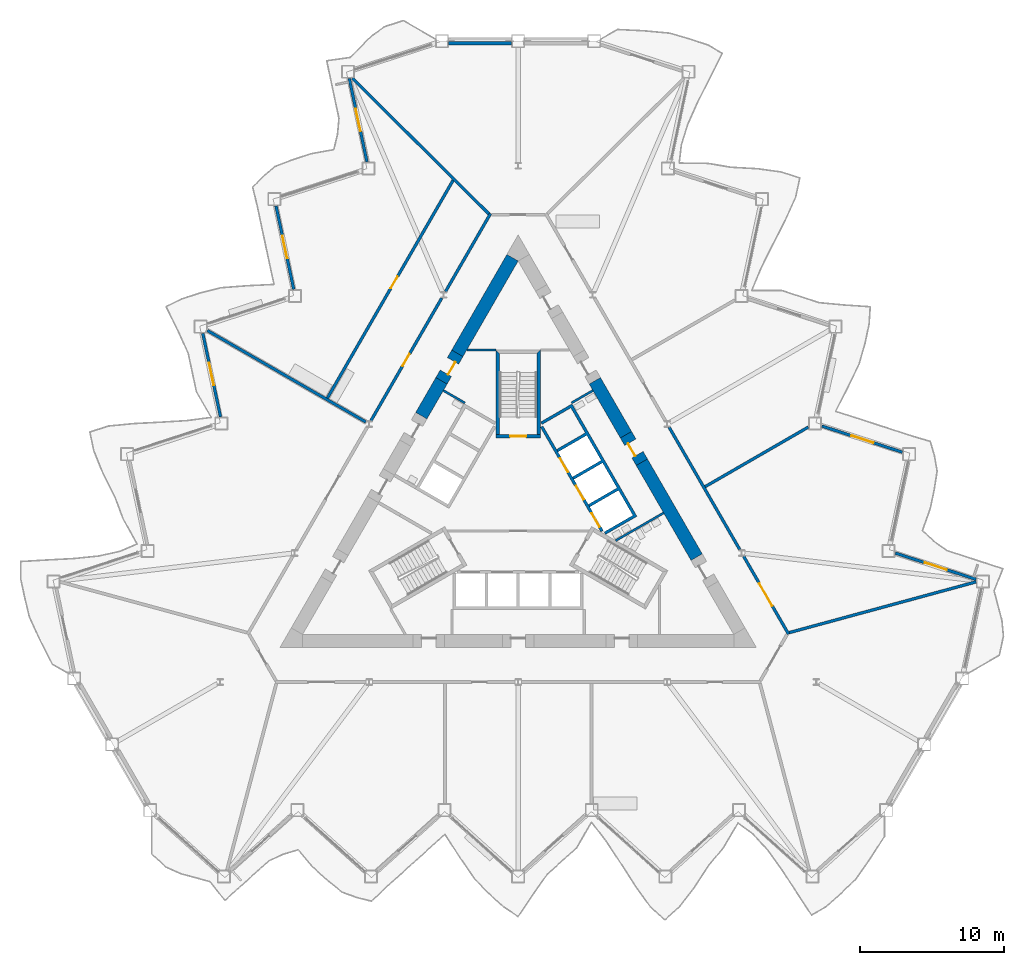
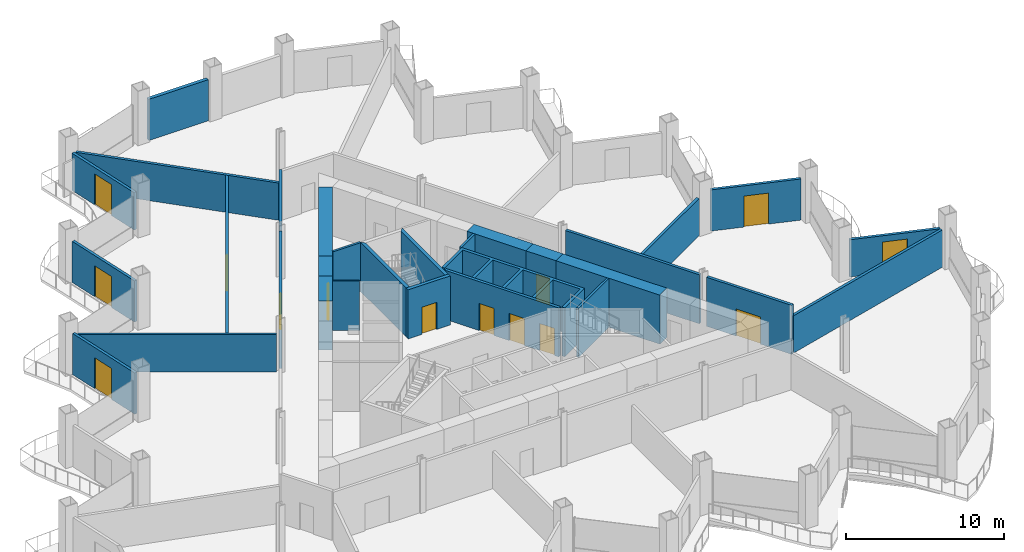
# One storey, part 12 of 21: 30 walls, 14 doors, 14 openings.
"""IFC4 building model written with IfcOpenShell, lengths in metres."""

from ifc_helpers import new_model, si_unit, direction, frame, frame_2d, origin, place, context, subcontext, project, spatial, polyline, rectangle, outline, extrude, material, layer, layer_set, type_object, element, fill, save


model = new_model("IFC4")

# Units and contexts
model_context = context("Model", 3, precision=1e-05, world=origin(), true_north=direction((0.0, 1.0)))
body_context = subcontext(model_context, "Body", "Model", "MODEL_VIEW")
ifc_project = project(units=[si_unit("LENGTHUNIT", "METRE"), si_unit("AREAUNIT", "SQUARE_METRE"), si_unit("VOLUMEUNIT", "CUBIC_METRE"), si_unit("PLANEANGLEUNIT", "RADIAN"), si_unit("MASSUNIT", "GRAM", prefix="KILO")], contexts=[model_context])

# Site, building, storey
site_placement = place(None, origin())
site = spatial("IfcSite", under=ifc_project, at=site_placement, CompositionType="ELEMENT")
building_placement = place(site_placement, origin())
building = spatial("IfcBuilding", under=site, at=building_placement, Name="Cormorant Prow Tower", CompositionType="ELEMENT")
storey_placement = place(building_placement, frame((0.0, 0.0, 150.0)))
storey = spatial("IfcBuildingStorey", under=building, at=storey_placement, Name="L32", CompositionType="ELEMENT", Elevation=150.0)

# Walls
ifc_material_1 = material(Name="Gypsum board partition")
ifc_layer_1 = layer(ifc_material_1, 0.14990234375)
ifc_layer_set_1 = layer_set([ifc_layer_1], Name="Gypsum board partition")
wall_type_1 = type_object("IfcWallType", Name="Core partition 150", PredefinedType="PARTITIONING", material=ifc_layer_set_1)
for number, where, z_axis, x_axis, name in (
    (1, (3.693359375, 7.4150390625, 0.0), (0.0, 0.0, 1.0), (0.866024871741, 0.500000921525, 0.0), "Service room partition"),
    (2, (-3.693359375, 7.4150390625, 0.0), (0.0, 0.0, 1.0), (-0.866024871741, 0.500000921525, 0.0), "Service room partition"),
):
    element("IfcWall", number, at=place(storey_placement, frame(where, z_axis=z_axis, x_axis=x_axis)), inside=storey, type_object=wall_type_1, Name=name, PredefinedType="PARTITIONING", context=body_context, shape_type="SweptSolid", body=[
        extrude(rectangle(XDim=1.72021484375, YDim=0.14990234375, at=frame_2d((0.860107421875, 0.0))), origin(), (0.0, 0.0, 1.0), 3.800048828125),
    ])
wall_1_placement = place(storey_placement, frame((10.080810546875, -0.2080078125, 0.0), z_axis=(0.0, 0.0, 1.0), x_axis=(-0.86600766878, -0.50003071667, 0.0)))
element("IfcWall", 3, at=wall_1_placement, inside=storey, type_object=wall_type_1, Name="Service room partition", PredefinedType="PARTITIONING", context=body_context, shape_type="SweptSolid", body=[
    extrude(rectangle(XDim=3.839111328125, YDim=0.14990234375, at=frame_2d((1.91943359375, 0.0))), origin(), (0.0, 0.0, 1.0), 3.800048828125),
])
wall_2_placement = place(storey_placement, frame((-1.5439453125, 11.0869140625, 0.0), z_axis=(0.0, 0.0, 1.0), x_axis=(-1.0, 0.0, 0.0)))
element("IfcWall", 4, at=wall_2_placement, inside=storey, type_object=wall_type_1, Name="Service room partition", PredefinedType="PARTITIONING", context=body_context, shape_type="SweptSolid", body=[
    extrude(rectangle(XDim=2.015869140625, YDim=0.14990234375, at=frame_2d((1.0078125, 0.0))), origin(), (0.0, 0.0, 1.0), 3.800048828125),
])
ifc_material_2 = material(Name="Concrete 8000 psi", Category="concrete")
ifc_layer_2 = layer(ifc_material_2, 0.89990234375)
ifc_layer_set_2 = layer_set([ifc_layer_2], Name="Concrete 8000 psi")
wall_type_2 = type_object("IfcWallType", Name="Core shear wall 900", PredefinedType="SHEAR", material=ifc_layer_set_2)
wall_3_placement = place(storey_placement, frame((12.369384765625, -3.27197265625, 0.0), z_axis=(0.0, 0.0, 1.0), x_axis=(-0.499986781806, 0.866033035178, 0.0)))
element("IfcWall", 5, at=wall_3_placement, inside=storey, type_object=wall_type_2, Name="Core wall", PredefinedType="SHEAR", context=body_context, shape_type="SweptSolid", body=[
    extrude(rectangle(XDim=7.595458984375, YDim=0.89990234375, at=frame_2d((3.7978515625, 0.0))), origin(), (0.0, 0.0, 1.0), 3.800048828125),
])
wall_4_placement = place(storey_placement, frame((7.4716796875, 5.211181640625, 0.0), z_axis=(0.0, 0.0, 1.0), x_axis=(-0.499996693808, 0.866027312607, 0.0)))
element("IfcWall", 6, at=wall_4_placement, inside=storey, type_object=wall_type_2, Name="Core wall", PredefinedType="SHEAR", context=body_context, shape_type="SweptSolid", body=[
    extrude(rectangle(XDim=4.3154296875, YDim=0.89990234375, at=frame_2d((2.15771484375, 0.0))), origin(), (0.0, 0.0, 1.0), 3.800048828125),
])
wall_5_placement = place(storey_placement, frame((-0.3896484375, 17.4775390625, 0.0), z_axis=(0.0, 0.0, 1.0), x_axis=(-0.500007959642, -0.866020808234, 0.0)))
element("IfcWall", 7, at=wall_5_placement, inside=storey, type_object=wall_type_2, Name="Core wall", PredefinedType="SHEAR", context=body_context, shape_type="SweptSolid", body=[
    extrude(rectangle(XDim=7.64892578125, YDim=0.89990234375, at=frame_2d((3.824462890625, 0.0))), origin(), (0.0, 0.0, 1.0), 3.800048828125),
])
wall_6_placement = place(storey_placement, frame((-5.31396484375, 8.948486328125, 0.0), z_axis=(0.0, 0.0, 1.0), x_axis=(-0.49998480324, -0.86603417746, 0.0)))
element("IfcWall", 8, at=wall_6_placement, inside=storey, type_object=wall_type_2, Name="Core wall", PredefinedType="SHEAR", context=body_context, shape_type="SweptSolid", body=[
    extrude(rectangle(XDim=2.79248046875, YDim=0.89990234375, at=frame_2d((1.396240234375, 0.0))), origin(), (0.0, 0.0, 1.0), 3.800048828125),
])

# Wall, opening, door
wall_7_placement = place(storey_placement, frame((8.57177734375, 3.305908203125, 0.0), z_axis=(0.0, 0.0, 1.0), x_axis=(-0.50002983664, 0.866008176907, 0.0)))
wall_7 = element("IfcWall", 9, at=wall_7_placement, inside=storey, type_object=wall_type_2, Name="Core wall door panel", PredefinedType="SHEAR", context=body_context, shape_type="SweptSolid", body=[
    extrude(rectangle(XDim=2.199951171875, YDim=0.89990234375, at=frame_2d((1.10009765625, 0.0))), origin(), (0.0, 0.0, 1.0), 3.800048828125),
])
opening_1_placement = place(wall_7_placement, frame((0.60009765625, 0.0, 0.0)))
opening_1 = element("IfcOpeningElement", 10, at=opening_1_placement, cuts=wall_7, Name="Opening L32-C16", PredefinedType="OPENING", context=body_context, shape_type="SweptSolid", body=[
    extrude(rectangle(XDim=1.0, YDim=2.10009765625, at=frame_2d((0.5, 1.050048828125))), frame((0.0, 0.4599609375, 0.0), z_axis=(0.0, -1.0, 0.0), x_axis=(1.0, 0.0, 0.0)), (0.0, 0.0, 1.0), 0.919921875),
])
ifc_material_3 = material(Name="Painted steel", Category="steel")
door_type_1 = type_object("IfcDoorType", Name="Service door 1000x2100", OperationType="NOTDEFINED", PredefinedType="DOOR", material=ifc_material_3)
door_1_placement = place(opening_1_placement, origin())
door_1 = element("IfcDoor", 11, at=door_1_placement, inside=storey, type_object=door_type_1, Name="Core door, Toilets (men) L32", OperationType="SINGLE_SWING_LEFT", OverallHeight=2.10009765625, OverallWidth=1.0, PredefinedType="DOOR", context=body_context, shape_type="SweptSolid", body=[
    extrude(rectangle(XDim=1.0, YDim=2.10009765625, at=frame_2d((0.5, 1.050048828125))), frame((0.0, 0.205078125, 0.0), z_axis=(0.0, -1.0, 0.0), x_axis=(1.0, 0.0, 0.0)), (0.0, 0.0, 1.0), 0.050048828125),
])
fill(opening_1, door_1)

wall_8_placement = place(storey_placement, frame((-4.214111328125, 10.853515625, 0.0), z_axis=(0.0, 0.0, 1.0), x_axis=(-0.500077893725, -0.86598042715, 0.0)))
wall_8 = element("IfcWall", 12, at=wall_8_placement, inside=storey, type_object=wall_type_2, Name="Core wall door panel", PredefinedType="SHEAR", context=body_context, shape_type="SweptSolid", body=[
    extrude(rectangle(XDim=2.199951171875, YDim=0.89990234375, at=frame_2d((1.10009765625, 0.0))), origin(), (0.0, 0.0, 1.0), 3.800048828125),
])
opening_2_placement = place(wall_8_placement, frame((0.60009765625, 0.0, 0.0)))
opening_2 = element("IfcOpeningElement", 13, at=opening_2_placement, cuts=wall_8, Name="Opening L32-C21", PredefinedType="OPENING", context=body_context, shape_type="SweptSolid", body=[
    extrude(rectangle(XDim=1.0, YDim=2.10009765625, at=frame_2d((0.5, 1.050048828125))), frame((0.0, 0.4599609375, 0.0), z_axis=(0.0, -1.0, 0.0), x_axis=(1.0, 0.0, 0.0)), (0.0, 0.0, 1.0), 0.919921875),
])
door_2_placement = place(opening_2_placement, origin())
door_2 = element("IfcDoor", 14, at=door_2_placement, inside=storey, type_object=door_type_1, Name="Core door, Mechanical riser room", OperationType="SINGLE_SWING_LEFT", OverallHeight=2.10009765625, OverallWidth=1.0, PredefinedType="DOOR", context=body_context, shape_type="SweptSolid", body=[
    extrude(rectangle(XDim=1.0, YDim=2.10009765625, at=frame_2d((0.5, 1.050048828125))), frame((0.0, 0.205078125, 0.0), z_axis=(0.0, -1.0, 0.0), x_axis=(1.0, 0.0, 0.0)), (0.0, 0.0, 1.0), 0.050048828125),
])
fill(opening_2, door_2)

# Wall
ifc_material_4 = material(Name="Gypsum board corridor wall")
ifc_layer_3 = layer(ifc_material_4, 0.199951171875)
ifc_layer_set_3 = layer_set([ifc_layer_3], Name="Gypsum board corridor wall")
wall_type_3 = type_object("IfcWallType", Name="Corridor wall 200", PredefinedType="PARTITIONING", material=ifc_layer_set_3)
wall_9_placement = place(storey_placement, frame((10.459716796875, 5.735595703125, 0.0), z_axis=(0.0, 0.0, 1.0), x_axis=(0.500004141693, -0.866023012564, 0.0)))
element("IfcWall", 15, at=wall_9_placement, inside=storey, type_object=wall_type_3, Name="Corridor wall", PredefinedType="PARTITIONING", context=body_context, shape_type="SweptSolid", body=[
    extrude(rectangle(XDim=9.80322265625, YDim=0.199951171875, at=frame_2d((4.901611328125, 0.0))), origin(), (0.0, 0.0, 1.0), 3.800048828125),
])

# Wall, opening, door
wall_10_placement = place(storey_placement, frame((-10.197265625, 6.1904296875, 0.0), z_axis=(0.0, 0.0, 1.0), x_axis=(0.500012035596, 0.866018454918, 0.0)))
wall_10 = element("IfcWall", 16, at=wall_10_placement, inside=storey, type_object=wall_type_3, Name="Corridor wall", PredefinedType="PARTITIONING", context=body_context, shape_type="SweptSolid", body=[
    extrude(rectangle(XDim=9.803466796875, YDim=0.199951171875, at=frame_2d((4.90185546875, 0.0))), origin(), (0.0, 0.0, 1.0), 3.800048828125),
])
opening_3_placement = place(wall_10_placement, frame((4.376220703125, 0.0, 0.0)))
opening_3 = element("IfcOpeningElement", 17, at=opening_3_placement, cuts=wall_10, Name="Opening L32-F09", PredefinedType="OPENING", context=body_context, shape_type="SweptSolid", body=[
    extrude(rectangle(XDim=0.949951171875, YDim=2.10009765625, at=frame_2d((0.47509765625, 1.050048828125))), frame((0.0, 0.10986328125, 0.0), z_axis=(0.0, -1.0, 0.0), x_axis=(1.0, 0.0, 0.0)), (0.0, 0.0, 1.0), 0.219970703125),
])
ifc_material_5 = material(Name="Timber door leaf", Category="wood")
door_type_2 = type_object("IfcDoorType", Name="Store door 950x2100", OperationType="NOTDEFINED", PredefinedType="DOOR", material=ifc_material_5)
door_3_placement = place(opening_3_placement, origin())
door_3 = element("IfcDoor", 18, at=door_3_placement, inside=storey, type_object=door_type_2, Name="Tea point and pantry door", OperationType="SINGLE_SWING_RIGHT", OverallHeight=2.10009765625, OverallWidth=0.949951171875, PredefinedType="DOOR", context=body_context, shape_type="SweptSolid", body=[
    extrude(rectangle(XDim=0.949951171875, YDim=2.10009765625, at=frame_2d((0.47509765625, 1.050048828125))), frame((0.0, 0.02490234375, 0.0), z_axis=(0.0, -1.0, 0.0), x_axis=(1.0, 0.0, 0.0)), (0.0, 0.0, 1.0), 0.050048828125),
])
fill(opening_3, door_3)

# Wall
wall_11_placement = place(storey_placement, frame((-5.032958984375, 15.13525390625, 0.0), z_axis=(0.0, 0.0, 1.0), x_axis=(0.499980978912, 0.866036385336, 0.0)))
element("IfcWall", 19, at=wall_11_placement, inside=storey, type_object=wall_type_3, Name="Corridor wall", PredefinedType="PARTITIONING", context=body_context, shape_type="SweptSolid", body=[
    extrude(rectangle(XDim=6.239990234375, YDim=0.199951171875, at=frame_2d((3.1201171875, 0.0))), origin(), (0.0, 0.0, 1.0), 3.800048828125),
])

# Wall, opening, door
wall_12_placement = place(storey_placement, frame((15.6240234375, -3.208984375, 0.0), z_axis=(0.0, 0.0, 1.0), x_axis=(0.499997920671, -0.866026604282, 0.0)))
wall_12 = element("IfcWall", 20, at=wall_12_placement, inside=storey, type_object=wall_type_3, Name="Corridor wall", PredefinedType="PARTITIONING", context=body_context, shape_type="SweptSolid", body=[
    extrude(rectangle(XDim=6.23974609375, YDim=0.199951171875, at=frame_2d((3.119873046875, 0.0))), origin(), (0.0, 0.0, 1.0), 3.800048828125),
])
opening_4_placement = place(wall_12_placement, frame((2.16943359375, 0.0, 0.0)))
opening_4 = element("IfcOpeningElement", 21, at=opening_4_placement, cuts=wall_12, Name="Opening L32-F05", PredefinedType="OPENING", context=body_context, shape_type="SweptSolid", body=[
    extrude(rectangle(XDim=1.800048828125, YDim=2.10009765625, at=frame_2d((0.89990234375, 1.050048828125))), frame((0.0, 0.10986328125, 0.0), z_axis=(0.0, -1.0, 0.0), x_axis=(1.0, 0.0, 0.0)), (0.0, 0.0, 1.0), 0.219970703125),
])
ifc_material_6 = material(Name="Timber door leaf", Category="wood")
door_type_3 = type_object("IfcDoorType", Name="Double door 1800x2100", OperationType="DOUBLE_DOOR_SINGLE_SWING", PredefinedType="DOOR", material=ifc_material_6)
door_4_placement = place(opening_4_placement, origin())
door_4 = element("IfcDoor", 22, at=door_4_placement, inside=storey, type_object=door_type_3, Name="Co-working room door", OperationType="DOUBLE_DOOR_SINGLE_SWING", OverallHeight=2.10009765625, OverallWidth=1.800048828125, PredefinedType="DOOR", context=body_context, shape_type="SweptSolid", body=[
    extrude(rectangle(XDim=1.800048828125, YDim=2.10009765625, at=frame_2d((0.89990234375, 1.050048828125))), frame((0.0, 0.02490234375, 0.0), z_axis=(0.0, -1.0, 0.0), x_axis=(1.0, 0.0, 0.0)), (0.0, 0.0, 1.0), 0.050048828125),
])
fill(opening_4, door_4)

ifc_material_7 = material(Name="Gypsum board demising wall")
ifc_layer_4 = layer(ifc_material_7, 0.199951171875)
ifc_layer_set_4 = layer_set([ifc_layer_4], Name="Gypsum board demising wall")
wall_type_4 = type_object("IfcWallType", Name="Demising wall 200", PredefinedType="PARTITIONING", material=ifc_layer_set_4)
wall_13_placement = place(storey_placement, frame((-13.222900390625, 7.749755859375, 0.0), z_axis=(0.0, 0.0, 1.0), x_axis=(0.499991226912, 0.86603046887, 0.0)))
wall_13 = element("IfcWall", 23, at=wall_13_placement, inside=storey, type_object=wall_type_4, Name="Demising wall", PredefinedType="PARTITIONING", context=body_context, shape_type="SweptSolid", body=[
    extrude(rectangle(XDim=17.429443359375, YDim=0.199951171875, at=frame_2d((8.71484375, 0.0))), origin(), (0.0, 0.0, 1.0), 2.88525390625),
])
opening_5_placement = place(wall_13_placement, frame((8.79248046875, 0.0, 0.0)))
opening_5 = element("IfcOpeningElement", 24, at=opening_5_placement, cuts=wall_13, Name="Opening L32-F10", PredefinedType="OPENING", context=body_context, shape_type="SweptSolid", body=[
    extrude(rectangle(XDim=0.949951171875, YDim=2.10009765625, at=frame_2d((0.47509765625, 1.050048828125))), frame((0.0, 0.10986328125, 0.0), z_axis=(0.0, -1.0, 0.0), x_axis=(1.0, 0.0, 0.0)), (0.0, 0.0, 1.0), 0.219970703125),
])
door_5_placement = place(opening_5_placement, origin())
door_5 = element("IfcDoor", 25, at=door_5_placement, inside=storey, type_object=door_type_2, Name="Tenant reception door", OperationType="SINGLE_SWING_LEFT", OverallHeight=2.10009765625, OverallWidth=0.949951171875, PredefinedType="DOOR", context=body_context, shape_type="SweptSolid", body=[
    extrude(rectangle(XDim=0.949951171875, YDim=2.10009765625, at=frame_2d((0.47509765625, 1.050048828125))), frame((0.0, 0.02490234375, 0.0), z_axis=(0.0, -1.0, 0.0), x_axis=(1.0, 0.0, 0.0)), (0.0, 0.0, 1.0), 0.050048828125),
])
fill(opening_5, door_5)

# Walls
wall_14_placement = place(storey_placement, frame((18.790283203125, -8.5, 0.0), z_axis=(0.0, 0.0, 1.0), x_axis=(0.965038802525, 0.262107057556, 0.0)))
element("IfcWall", 26, at=wall_14_placement, inside=storey, type_object=wall_type_4, Name="Demising wall", PredefinedType="PARTITIONING", context=body_context, shape_type="SweptSolid", body=[
    extrude(rectangle(XDim=13.414794921875, YDim=0.199951171875, at=frame_2d((6.70751953125, 0.0))), origin(), (0.0, 0.0, 1.0), 2.88525390625),
])
wall_15_placement = place(storey_placement, frame((-11.481201171875, 29.90625, 0.0), z_axis=(0.0, 0.0, 1.0), x_axis=(0.709504632293, -0.704700771076, 0.0)))
element("IfcWall", 27, at=wall_15_placement, inside=storey, type_object=wall_type_4, Name="Demising wall", PredefinedType="PARTITIONING", context=body_context, shape_type="SweptSolid", body=[
    extrude(rectangle(XDim=13.315185546875, YDim=0.199951171875, at=frame_2d((6.65771484375, 0.0))), origin(), (0.0, 0.0, 1.0), 2.88525390625),
])
wall_16_placement = place(storey_placement, frame((-21.536376953125, 12.43408203125, 0.0), z_axis=(0.0, 0.0, 1.0), x_axis=(0.86602461759, -0.500001361726, 0.0)))
element("IfcWall", 28, at=wall_16_placement, inside=storey, type_object=wall_type_4, Name="Demising wall", PredefinedType="PARTITIONING", context=body_context, shape_type="SweptSolid", body=[
    extrude(rectangle(XDim=12.67919921875, YDim=0.199951171875, at=frame_2d((6.339599609375, 0.0))), origin(), (0.0, 0.0, 1.0), 2.88525390625),
])
wall_17_placement = place(storey_placement, frame((12.955810546875, 1.612548828125, 0.0), z_axis=(0.0, 0.0, 1.0), x_axis=(0.866032027724, 0.499988526824, 0.0)))
element("IfcWall", 29, at=wall_17_placement, inside=storey, type_object=wall_type_4, Name="Demising wall", PredefinedType="PARTITIONING", context=body_context, shape_type="SweptSolid", body=[
    extrude(rectangle(XDim=8.260498046875, YDim=0.199951171875, at=frame_2d((4.13037109375, 0.0))), origin(), (0.0, 0.0, 1.0), 2.88525390625),
])

# Wall, openings, doors
ifc_material_8 = material(Name="Concrete 5000 psi", Category="concrete")
ifc_layer_5 = layer(ifc_material_8, 0.199951171875)
ifc_layer_set_5 = layer_set([ifc_layer_5], Name="Concrete 5000 psi")
wall_type_5 = type_object("IfcWallType", Name="Lift lobby wall 200", PredefinedType="SOLIDWALL", material=ifc_layer_set_5)
wall_18_placement = place(storey_placement, frame((5.817138671875, -1.4755859375, 0.0), z_axis=(0.0, 0.0, 1.0), x_axis=(-0.500002616675, 0.866023893041, 0.0)))
wall_18 = element("IfcWall", 30, at=wall_18_placement, inside=storey, type_object=wall_type_5, Name="Lift lobby wall, ENE block", PredefinedType="SOLIDWALL", context=body_context, shape_type="SweptSolid", body=[
    extrude(rectangle(XDim=8.373046875, YDim=0.199951171875, at=frame_2d((4.1865234375, 0.0))), origin(), (0.0, 0.0, 1.0), 3.800048828125),
])
opening_6_placement = place(wall_18_placement, frame((0.336669921875, 0.0, 0.0)))
opening_6 = element("IfcOpeningElement", 31, at=opening_6_placement, cuts=wall_18, Name="Opening L32-C05", PredefinedType="OPENING", context=body_context, shape_type="SweptSolid", body=[
    extrude(rectangle(XDim=1.10009765625, YDim=2.10009765625, at=frame_2d((0.550048828125, 1.050048828125))), frame((0.0, 0.10986328125, 0.0), z_axis=(0.0, -1.0, 0.0), x_axis=(1.0, 0.0, 0.0)), (0.0, 0.0, 1.0), 0.219970703125),
])
opening_7_placement = place(wall_18_placement, frame((2.53662109375, 0.0, 0.0)))
opening_7 = element("IfcOpeningElement", 32, at=opening_7_placement, cuts=wall_18, Name="Opening L32-C06", PredefinedType="OPENING", context=body_context, shape_type="SweptSolid", body=[
    extrude(rectangle(XDim=1.10009765625, YDim=2.10009765625, at=frame_2d((0.550048828125, 1.050048828125))), frame((0.0, 0.10986328125, 0.0), z_axis=(0.0, -1.0, 0.0), x_axis=(1.0, 0.0, 0.0)), (0.0, 0.0, 1.0), 0.219970703125),
])
opening_8_placement = place(wall_18_placement, frame((4.736572265625, 0.0, 0.0)))
opening_8 = element("IfcOpeningElement", 33, at=opening_8_placement, cuts=wall_18, Name="Opening L32-C07", PredefinedType="OPENING", context=body_context, shape_type="SweptSolid", body=[
    extrude(rectangle(XDim=1.10009765625, YDim=2.10009765625, at=frame_2d((0.550048828125, 1.050048828125))), frame((0.0, 0.10986328125, 0.0), z_axis=(0.0, -1.0, 0.0), x_axis=(1.0, 0.0, 0.0)), (0.0, 0.0, 1.0), 0.219970703125),
])
ifc_material_9 = material(Name="Painted steel", Category="steel")
door_type_4 = type_object("IfcDoorType", Name="Lift landing door 1100x2100", OperationType="SLIDING_TO_LEFT", PredefinedType="DOOR", material=ifc_material_9)
door_6_placement = place(opening_6_placement, origin())
door_6 = element("IfcDoor", 34, at=door_6_placement, inside=storey, type_object=door_type_4, Name="Landing door LR2", OperationType="SLIDING_TO_LEFT", OverallHeight=2.10009765625, OverallWidth=1.10009765625, PredefinedType="DOOR", context=body_context, shape_type="SweptSolid", body=[
    extrude(rectangle(XDim=1.10009765625, YDim=2.10009765625, at=frame_2d((0.550048828125, 1.050048828125))), frame((0.0, 0.02490234375, 0.0), z_axis=(0.0, -1.0, 0.0), x_axis=(1.0, 0.0, 0.0)), (0.0, 0.0, 1.0), 0.050048828125),
])
fill(opening_6, door_6)
door_7_placement = place(opening_7_placement, origin())
door_7 = element("IfcDoor", 35, at=door_7_placement, inside=storey, type_object=door_type_4, Name="Landing door LR3", OperationType="SLIDING_TO_LEFT", OverallHeight=2.10009765625, OverallWidth=1.10009765625, PredefinedType="DOOR", context=body_context, shape_type="SweptSolid", body=[
    extrude(rectangle(XDim=1.10009765625, YDim=2.10009765625, at=frame_2d((0.550048828125, 1.050048828125))), frame((0.0, 0.02490234375, 0.0), z_axis=(0.0, -1.0, 0.0), x_axis=(1.0, 0.0, 0.0)), (0.0, 0.0, 1.0), 0.050048828125),
])
fill(opening_7, door_7)
door_8_placement = place(opening_8_placement, origin())
door_8 = element("IfcDoor", 36, at=door_8_placement, inside=storey, type_object=door_type_4, Name="Landing door LR4", OperationType="SLIDING_TO_LEFT", OverallHeight=2.10009765625, OverallWidth=1.10009765625, PredefinedType="DOOR", context=body_context, shape_type="SweptSolid", body=[
    extrude(rectangle(XDim=1.10009765625, YDim=2.10009765625, at=frame_2d((0.550048828125, 1.050048828125))), frame((0.0, 0.02490234375, 0.0), z_axis=(0.0, -1.0, 0.0), x_axis=(1.0, 0.0, 0.0)), (0.0, 0.0, 1.0), 0.050048828125),
])
fill(opening_8, door_8)

# Walls
ifc_material_10 = material(Name="Concrete 8000 psi", Category="concrete")
ifc_layer_6 = layer(ifc_material_10, 0.199951171875)
ifc_layer_set_6 = layer_set([ifc_layer_6], Name="Concrete 8000 psi")
wall_type_6 = type_object("IfcWallType", Name="Lift shaft wall 200", PredefinedType="SHEAR", material=ifc_layer_set_6)
wall_19_placement = place(storey_placement, origin())
element("IfcWall", 37, at=wall_19_placement, inside=storey, type_object=wall_type_6, Name="Lift shaft walls, ENE block", PredefinedType="SHEAR", context=body_context, shape_type="SweptSolid", body=[
    extrude(outline(polyline([(1.560546875, 6.09716796875), (3.730712890625, 7.35009765625), (8.230712890625, -0.444091796875), (6.060546875, -1.697021484375), (5.96044921875, -1.52392578125), (7.952392578125, -0.373779296875), (6.952392578125, 1.358154296875), (4.96044921875, 0.2080078125), (4.860595703125, 0.38134765625), (6.852294921875, 1.53125), (5.852294921875, 3.263427734375), (3.860595703125, 2.11328125), (3.760498046875, 2.28662109375), (5.75244140625, 3.4365234375), (4.75244140625, 5.168701171875), (2.760498046875, 4.018798828125), (2.660400390625, 4.19189453125), (4.65234375, 5.341796875), (3.65234375, 7.073974609375), (1.660400390625, 5.923828125), (1.560546875, 6.09716796875)])), origin(), (0.0, 0.0, 1.0), 3.800048828125),
])
ifc_material_11 = material(Name="Concrete 8000 psi", Category="concrete")
ifc_layer_7 = layer(ifc_material_11, 0.25)
ifc_layer_set_7 = layer_set([ifc_layer_7], Name="Concrete 8000 psi")
wall_type_7 = type_object("IfcWallType", Name="Stair wall 250", PredefinedType="SHEAR", material=ifc_layer_set_7)
wall_20_placement = place(storey_placement, origin())
element("IfcWall", 38, at=wall_20_placement, inside=storey, type_object=wall_type_7, Name="Stair ST3 enclosure wall (flank)", PredefinedType="SHEAR", context=body_context, shape_type="SweptSolid", body=[
    extrude(outline(polyline([(1.5439453125, 5.23681640625), (1.5439453125, 11.0869140625), (1.2939453125, 10.8369140625), (1.2939453125, 5.23681640625), (1.5439453125, 5.23681640625)])), origin(), (0.0, 0.0, 1.0), 3.800048828125),
])
wall_21_placement = place(storey_placement, origin())
element("IfcWall", 39, at=wall_21_placement, inside=storey, type_object=wall_type_7, Name="Stair ST3 enclosure wall (flank)", PredefinedType="SHEAR", context=body_context, shape_type="SweptSolid", body=[
    extrude(outline(polyline([(-1.2939453125, 10.8369140625), (-1.5439453125, 11.0869140625), (-1.5439453125, 5.23681640625), (-1.2939453125, 5.23681640625), (-1.2939453125, 10.8369140625)])), origin(), (0.0, 0.0, 1.0), 3.800048828125),
])

# Wall, opening, door
wall_22_placement = place(storey_placement, frame((1.5439453125, 5.11181640625, 0.0), z_axis=(0.0, 0.0, 1.0), x_axis=(-1.0, 0.0, 0.0)))
wall_22 = element("IfcWall", 40, at=wall_22_placement, inside=storey, type_object=wall_type_7, Name="Stair ST3 door wall", PredefinedType="SHEAR", context=body_context, shape_type="SweptSolid", body=[
    extrude(rectangle(XDim=3.087890625, YDim=0.25, at=frame_2d((1.5439453125, 0.0))), origin(), (0.0, 0.0, 1.0), 3.800048828125),
])
opening_9_placement = place(wall_22_placement, frame((0.993896484375, 0.0, 0.0)))
opening_9 = element("IfcOpeningElement", 41, at=opening_9_placement, cuts=wall_22, Name="Opening L32-C11", PredefinedType="OPENING", context=body_context, shape_type="SweptSolid", body=[
    extrude(rectangle(XDim=1.10009765625, YDim=2.10009765625, at=frame_2d((0.550048828125, 1.050048828125))), frame((0.0, 0.135009765625, 0.0), z_axis=(0.0, -1.0, 0.0), x_axis=(1.0, 0.0, 0.0)), (0.0, 0.0, 1.0), 0.27001953125),
])
ifc_material_12 = material(Name="Painted steel", Category="steel")
door_type_5 = type_object("IfcDoorType", Name="Stair door 1100x2100", OperationType="NOTDEFINED", PredefinedType="DOOR", material=ifc_material_12)
door_9_placement = place(opening_9_placement, origin())
door_9 = element("IfcDoor", 42, at=door_9_placement, inside=storey, type_object=door_type_5, Name="Stair ST3 door", OperationType="SINGLE_SWING_RIGHT", OverallHeight=2.10009765625, OverallWidth=1.10009765625, PredefinedType="DOOR", context=body_context, shape_type="SweptSolid", body=[
    extrude(rectangle(XDim=1.10009765625, YDim=2.10009765625, at=frame_2d((0.550048828125, 1.050048828125))), frame((0.0, 0.02490234375, 0.0), z_axis=(0.0, -1.0, 0.0), x_axis=(1.0, 0.0, 0.0)), (0.0, 0.0, 1.0), 0.050048828125),
])
fill(opening_9, door_9)

# Wall
ifc_material_13 = material(Name="Terracotta", Category="masonry")
ifc_layer_8 = layer(ifc_material_13, 0.25)
ifc_layer_set_8 = layer_set([ifc_layer_8], Name="Terracotta")
wall_type_8 = type_object("IfcWallType", Name="Terracotta bay wall 250", PredefinedType="SOLIDWALL", material=ifc_layer_set_8)
wall_23_placement = place(storey_placement, frame((-0.449951171875, 32.3291015625, 0.0), z_axis=(0.0, 0.0, 1.0), x_axis=(-1.0, 0.0, 0.0)))
element("IfcWall", 43, at=wall_23_placement, inside=storey, type_object=wall_type_8, Name="Terracotta bay wall N01", PredefinedType="SOLIDWALL", context=body_context, shape_type="SweptSolid", body=[
    extrude(rectangle(XDim=4.36962890625, YDim=0.25, at=frame_2d((2.184814453125, 0.0))), origin(), (0.0, 0.0, 1.0), 3.18896484375),
])

# Wall, opening, door
ifc_material_14 = material(Name="Terracotta", Category="masonry")
ifc_layer_9 = layer(ifc_material_14, 0.199951171875)
ifc_layer_set_9 = layer_set([ifc_layer_9], Name="Terracotta")
wall_type_9 = type_object("IfcWallType", Name="Terracotta jamb wall 200", PredefinedType="SOLIDWALL", material=ifc_layer_set_9)
wall_24_placement = place(storey_placement, frame((31.721435546875, -4.80517578125, 0.0), z_axis=(0.0, 0.0, 1.0), x_axis=(-0.951053952554, 0.309024884649, 0.0)))
wall_24 = element("IfcWall", 44, at=wall_24_placement, inside=storey, type_object=wall_type_9, Name="Terracotta jamb wall ENE01", PredefinedType="SOLIDWALL", context=body_context, shape_type="SweptSolid", body=[
    extrude(rectangle(XDim=5.864501953125, YDim=0.199951171875, at=frame_2d((2.93212890625, 0.0))), origin(), (0.0, 0.0, 1.0), 2.88525390625),
])
opening_10_placement = place(wall_24_placement, frame((2.1201171875, 0.0, 0.0)))
opening_10 = element("IfcOpeningElement", 45, at=opening_10_placement, cuts=wall_24, Name="Opening ED32.06", PredefinedType="OPENING", context=body_context, shape_type="SweptSolid", body=[
    extrude(rectangle(XDim=1.60009765625, YDim=2.39990234375, at=frame_2d((0.800048828125, 1.199951171875))), frame((0.0, 0.10986328125, 0.0), z_axis=(0.0, -1.0, 0.0), x_axis=(1.0, 0.0, 0.0)), (0.0, 0.0, 1.0), 0.219970703125),
])
ifc_material_15 = material(Name="Aluminium 6063-T6", Category="aluminium")
door_type_6 = type_object("IfcDoorType", Name="Balcony door 1600x2400", OperationType="DOUBLE_DOOR_SINGLE_SWING", PredefinedType="DOOR", material=ifc_material_15)
door_10_placement = place(opening_10_placement, origin())
door_10 = element("IfcDoor", 46, at=door_10_placement, inside=storey, type_object=door_type_6, Name="Balcony door ENE01 ED32.06", OperationType="DOUBLE_DOOR_SINGLE_SWING", OverallHeight=2.39990234375, OverallWidth=1.60009765625, PredefinedType="DOOR", context=body_context, shape_type="SweptSolid", body=[
    extrude(rectangle(XDim=1.60009765625, YDim=2.39990234375, at=frame_2d((0.800048828125, 1.199951171875))), frame((0.0, 0.02490234375, 0.0), z_axis=(0.0, -1.0, 0.0), x_axis=(1.0, 0.0, 0.0)), (0.0, 0.0, 1.0), 0.050048828125),
])
fill(opening_10, door_10)

wall_25_placement = place(storey_placement, frame((26.62158203125, 4.002197265625, 0.0), z_axis=(0.0, 0.0, 1.0), x_axis=(-0.951053952554, 0.309024884649, 0.0)))
wall_25 = element("IfcWall", 47, at=wall_25_placement, inside=storey, type_object=wall_type_9, Name="Terracotta jamb wall ENE03", PredefinedType="SOLIDWALL", context=body_context, shape_type="SweptSolid", body=[
    extrude(rectangle(XDim=5.864501953125, YDim=0.199951171875, at=frame_2d((2.93212890625, 0.0))), origin(), (0.0, 0.0, 1.0), 3.18896484375),
])
opening_11_placement = place(wall_25_placement, frame((2.100830078125, 0.0, 0.0)))
opening_11 = element("IfcOpeningElement", 48, at=opening_11_placement, cuts=wall_25, Name="Opening ED32.07", PredefinedType="OPENING", context=body_context, shape_type="SweptSolid", body=[
    extrude(rectangle(XDim=1.60009765625, YDim=2.39990234375, at=frame_2d((0.800048828125, 1.199951171875))), frame((0.0, 0.10986328125, 0.0), z_axis=(0.0, -1.0, 0.0), x_axis=(1.0, 0.0, 0.0)), (0.0, 0.0, 1.0), 0.219970703125),
])
door_11_placement = place(opening_11_placement, origin())
door_11 = element("IfcDoor", 49, at=door_11_placement, inside=storey, type_object=door_type_6, Name="Balcony door ENE03 ED32.07", OperationType="DOUBLE_DOOR_SINGLE_SWING", OverallHeight=2.39990234375, OverallWidth=1.60009765625, PredefinedType="DOOR", context=body_context, shape_type="SweptSolid", body=[
    extrude(rectangle(XDim=1.60009765625, YDim=2.39990234375, at=frame_2d((0.800048828125, 1.199951171875))), frame((0.0, 0.02490234375, 0.0), z_axis=(0.0, -1.0, 0.0), x_axis=(1.0, 0.0, 0.0)), (0.0, 0.0, 1.0), 0.050048828125),
])
fill(opening_11, door_11)

wall_26_placement = place(storey_placement, frame((-11.704833984375, 29.899658203125, 0.0), z_axis=(0.0, 0.0, 1.0), x_axis=(0.207917562075, -0.978146352741, 0.0)))
wall_26 = element("IfcWall", 50, at=wall_26_placement, inside=storey, type_object=wall_type_9, Name="Terracotta jamb wall WNW01", PredefinedType="SOLIDWALL", context=body_context, shape_type="SweptSolid", body=[
    extrude(rectangle(XDim=5.90869140625, YDim=0.199951171875, at=frame_2d((2.954345703125, 0.0))), origin(), (0.0, 0.0, 1.0), 2.88525390625),
])
opening_12_placement = place(wall_26_placement, frame((2.146240234375, 0.0, 0.0)))
opening_12 = element("IfcOpeningElement", 51, at=opening_12_placement, cuts=wall_26, Name="Opening ED32.11", PredefinedType="OPENING", context=body_context, shape_type="SweptSolid", body=[
    extrude(rectangle(XDim=1.60009765625, YDim=2.39990234375, at=frame_2d((0.800048828125, 1.199951171875))), frame((0.0, 0.10986328125, 0.0), z_axis=(0.0, -1.0, 0.0), x_axis=(1.0, 0.0, 0.0)), (0.0, 0.0, 1.0), 0.219970703125),
])
door_12_placement = place(opening_12_placement, origin())
door_12 = element("IfcDoor", 52, at=door_12_placement, inside=storey, type_object=door_type_6, Name="Balcony door WNW01 ED32.11", OperationType="DOUBLE_DOOR_SINGLE_SWING", OverallHeight=2.39990234375, OverallWidth=1.60009765625, PredefinedType="DOOR", context=body_context, shape_type="SweptSolid", body=[
    extrude(rectangle(XDim=1.60009765625, YDim=2.39990234375, at=frame_2d((0.800048828125, 1.199951171875))), frame((0.0, 0.02490234375, 0.0), z_axis=(0.0, -1.0, 0.0), x_axis=(1.0, 0.0, 0.0)), (0.0, 0.0, 1.0), 0.050048828125),
])
fill(opening_12, door_12)

wall_27_placement = place(storey_placement, frame((-16.779541015625, 21.06640625, 0.0), z_axis=(0.0, 0.0, 1.0), x_axis=(0.207917562075, -0.978146352741, 0.0)))
wall_27 = element("IfcWall", 53, at=wall_27_placement, inside=storey, type_object=wall_type_9, Name="Terracotta jamb wall WNW03", PredefinedType="SOLIDWALL", context=body_context, shape_type="SweptSolid", body=[
    extrude(rectangle(XDim=5.90869140625, YDim=0.199951171875, at=frame_2d((2.954345703125, 0.0))), origin(), (0.0, 0.0, 1.0), 3.18896484375),
])
opening_13_placement = place(wall_27_placement, frame((2.113525390625, 0.0, 0.0)))
opening_13 = element("IfcOpeningElement", 54, at=opening_13_placement, cuts=wall_27, Name="Opening ED32.12", PredefinedType="OPENING", context=body_context, shape_type="SweptSolid", body=[
    extrude(rectangle(XDim=1.60009765625, YDim=2.39990234375, at=frame_2d((0.800048828125, 1.199951171875))), frame((0.0, 0.10986328125, 0.0), z_axis=(0.0, -1.0, 0.0), x_axis=(1.0, 0.0, 0.0)), (0.0, 0.0, 1.0), 0.219970703125),
])
door_13_placement = place(opening_13_placement, origin())
door_13 = element("IfcDoor", 55, at=door_13_placement, inside=storey, type_object=door_type_6, Name="Balcony door WNW03 ED32.12", OperationType="DOUBLE_DOOR_SINGLE_SWING", OverallHeight=2.39990234375, OverallWidth=1.60009765625, PredefinedType="DOOR", context=body_context, shape_type="SweptSolid", body=[
    extrude(rectangle(XDim=1.60009765625, YDim=2.39990234375, at=frame_2d((0.800048828125, 1.199951171875))), frame((0.0, 0.02490234375, 0.0), z_axis=(0.0, -1.0, 0.0), x_axis=(1.0, 0.0, 0.0)), (0.0, 0.0, 1.0), 0.050048828125),
])
fill(opening_13, door_13)

wall_28_placement = place(storey_placement, frame((-21.85400390625, 12.23291015625, 0.0), z_axis=(0.0, 0.0, 1.0), x_axis=(0.207925965623, -0.978144566421, 0.0)))
wall_28 = element("IfcWall", 56, at=wall_28_placement, inside=storey, type_object=wall_type_9, Name="Terracotta jamb wall WNW05", PredefinedType="SOLIDWALL", context=body_context, shape_type="SweptSolid", body=[
    extrude(rectangle(XDim=5.908447265625, YDim=0.199951171875, at=frame_2d((2.9541015625, 0.0))), origin(), (0.0, 0.0, 1.0), 3.18896484375),
])
opening_14_placement = place(wall_28_placement, frame((2.080810546875, 0.0, 0.0)))
opening_14 = element("IfcOpeningElement", 57, at=opening_14_placement, cuts=wall_28, Name="Opening ED32.13", PredefinedType="OPENING", context=body_context, shape_type="SweptSolid", body=[
    extrude(rectangle(XDim=1.60009765625, YDim=2.39990234375, at=frame_2d((0.800048828125, 1.199951171875))), frame((0.0, 0.10986328125, 0.0), z_axis=(0.0, -1.0, 0.0), x_axis=(1.0, 0.0, 0.0)), (0.0, 0.0, 1.0), 0.219970703125),
])
door_14_placement = place(opening_14_placement, origin())
door_14 = element("IfcDoor", 58, at=door_14_placement, inside=storey, type_object=door_type_6, Name="Balcony door WNW05 ED32.13", OperationType="DOUBLE_DOOR_SINGLE_SWING", OverallHeight=2.39990234375, OverallWidth=1.60009765625, PredefinedType="DOOR", context=body_context, shape_type="SweptSolid", body=[
    extrude(rectangle(XDim=1.60009765625, YDim=2.39990234375, at=frame_2d((0.800048828125, 1.199951171875))), frame((0.0, 0.02490234375, 0.0), z_axis=(0.0, -1.0, 0.0), x_axis=(1.0, 0.0, 0.0)), (0.0, 0.0, 1.0), 0.050048828125),
])
fill(opening_14, door_14)

save(model, "model.ifc")
